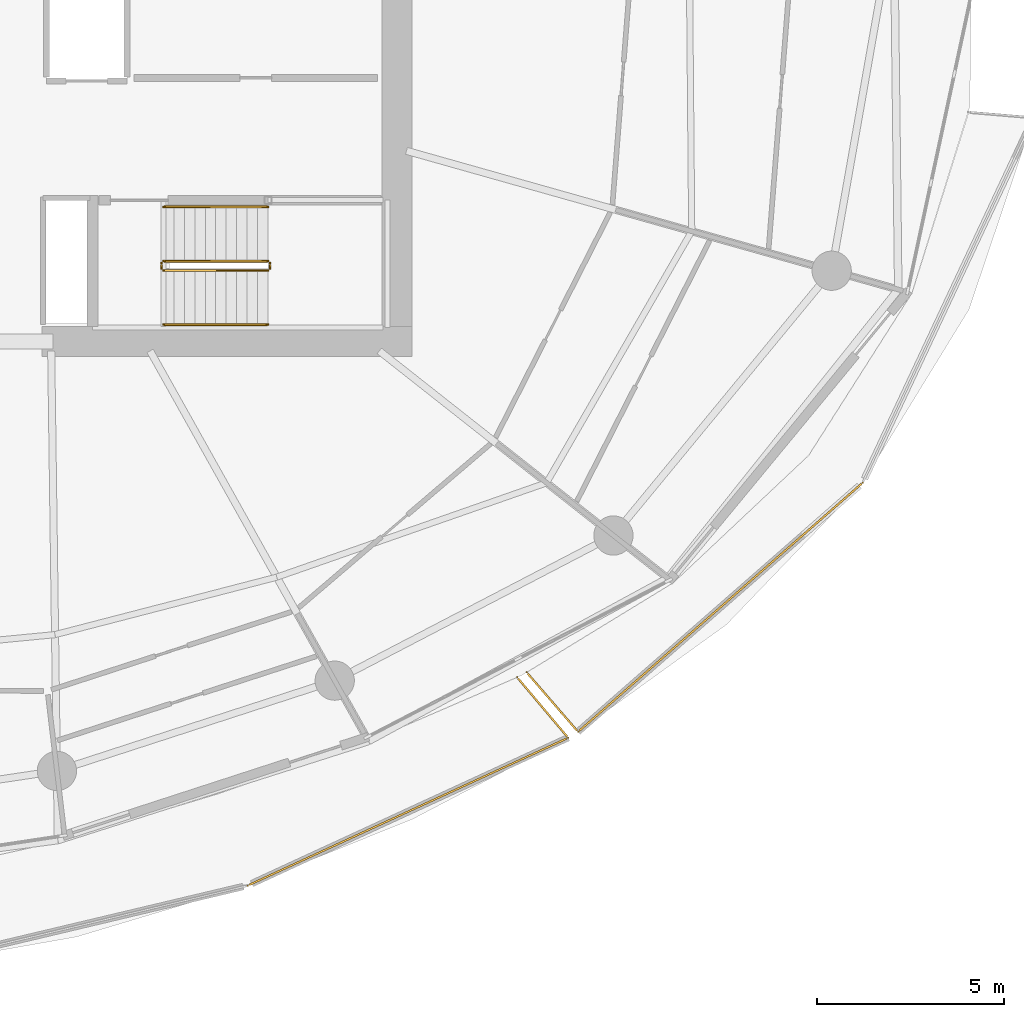
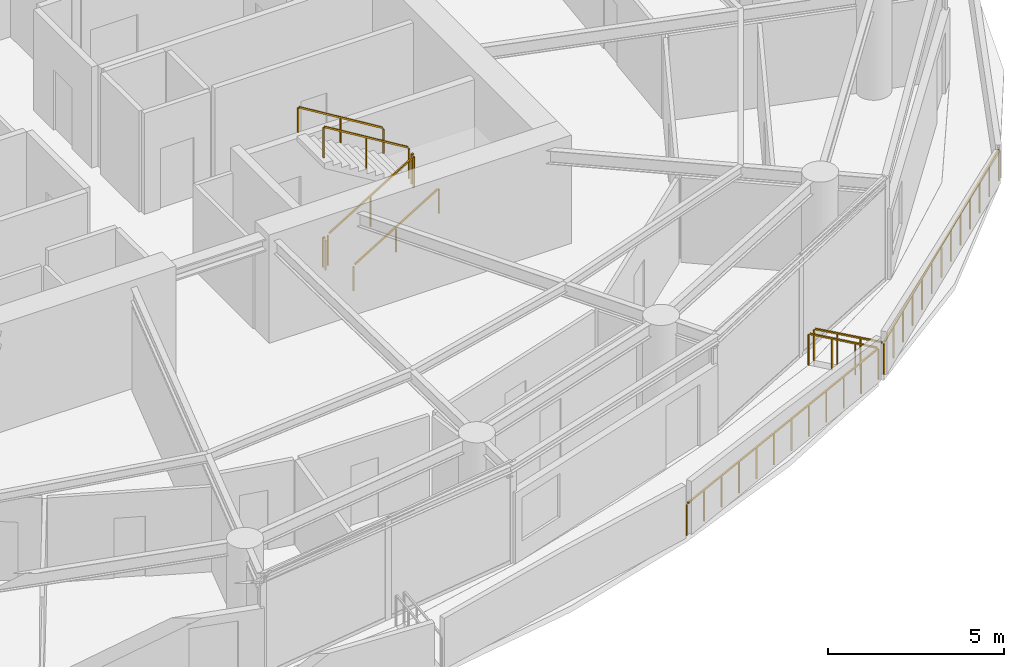
# One storey, part 18 of 20: 10 railings.
"""IFC4 building model written with IfcOpenShell, lengths in metres."""

from ifc_helpers import new_model, si_unit, direction, frame, origin, origin_2d, place, context, subcontext, project, spatial, rectangle, extrude, material, type_object, element, save


model = new_model("IFC4")

# Units and contexts
model_context = context("Model", 3, precision=1e-05, world=origin(), true_north=direction((0.0, 1.0)))
body_context = subcontext(model_context, "Body", "Model", "MODEL_VIEW")
ifc_project = project(units=[si_unit("LENGTHUNIT", "METRE"), si_unit("AREAUNIT", "SQUARE_METRE"), si_unit("VOLUMEUNIT", "CUBIC_METRE"), si_unit("PLANEANGLEUNIT", "RADIAN"), si_unit("MASSUNIT", "GRAM", prefix="KILO")], contexts=[model_context])

# Site, building, storey
site_placement = place(None, origin())
site = spatial("IfcSite", under=ifc_project, at=site_placement, CompositionType="ELEMENT")
building_placement = place(site_placement, origin())
building = spatial("IfcBuilding", under=site, at=building_placement, Name="Kazma Halo Residences", CompositionType="ELEMENT")
storey_placement = place(building_placement, frame((0.0, 0.0, 169.050048828125)))
storey = spatial("IfcBuildingStorey", under=building, at=storey_placement, Name="L42", CompositionType="ELEMENT", Elevation=169.050048828125)

# Railings
ifc_material_1 = material(Name="Aluminium AW-6063 T6 Brushed Cap Rail", Category="aluminium")
railing_type_1 = type_object("IfcRailingType", Name="RLG-BAL-CAP-1120", PredefinedType="BALUSTRADE", material=ifc_material_1)
railing_1_placement = place(storey_placement, frame((55.455810546875, 19.052978515625, 0.0)))
element("IfcRailing", 1, at=railing_1_placement, inside=storey, type_object=railing_type_1, Name="L42 SSE wave balcony guard 3", PredefinedType="BALUSTRADE", context=body_context, shape_type="SweptSolid", body=[
    extrude(rectangle(XDim=0.050048828125, YDim=0.050048828125, at=origin_2d()), frame((0.03857421875, 0.017822265625, 1.09521484375), z_axis=(0.908088839492, 0.418777577706, 0.0), x_axis=(-0.418777577706, 0.908088839492, 0.0)), (0.0, 0.0, 1.0), 9.3505859375),
    extrude(rectangle(XDim=0.0400390625, YDim=0.0400390625, at=origin_2d()), origin(), (0.0, 0.0, 1.0), 1.05810546875),
    extrude(rectangle(XDim=0.0400390625, YDim=0.0400390625, at=origin_2d()), frame((0.779052734375, 0.359130859375, 0.0)), (0.0, 0.0, 1.0), 1.05810546875),
    extrude(rectangle(XDim=0.0400390625, YDim=0.0400390625, at=origin_2d()), frame((1.557861328125, 0.718505859375, 0.0)), (0.0, 0.0, 1.0), 1.05810546875),
    extrude(rectangle(XDim=0.0400390625, YDim=0.0400390625, at=origin_2d()), frame((2.3369140625, 1.07763671875, 0.0)), (0.0, 0.0, 1.0), 1.05810546875),
    extrude(rectangle(XDim=0.0400390625, YDim=0.0400390625, at=origin_2d()), frame((3.11572265625, 1.436767578125, 0.0)), (0.0, 0.0, 1.0), 1.05810546875),
    extrude(rectangle(XDim=0.0400390625, YDim=0.0400390625, at=origin_2d()), frame((3.894775390625, 1.796142578125, 0.0)), (0.0, 0.0, 1.0), 1.05810546875),
    extrude(rectangle(XDim=0.0400390625, YDim=0.0400390625, at=origin_2d()), frame((4.673583984375, 2.1552734375, 0.0)), (0.0, 0.0, 1.0), 1.05810546875),
    extrude(rectangle(XDim=0.0400390625, YDim=0.0400390625, at=origin_2d()), frame((5.45263671875, 2.5146484375, 0.0)), (0.0, 0.0, 1.0), 1.05810546875),
    extrude(rectangle(XDim=0.0400390625, YDim=0.0400390625, at=origin_2d()), frame((6.2314453125, 2.873779296875, 0.0)), (0.0, 0.0, 1.0), 1.05810546875),
    extrude(rectangle(XDim=0.0400390625, YDim=0.0400390625, at=origin_2d()), frame((7.010498046875, 3.23291015625, 0.0)), (0.0, 0.0, 1.0), 1.05810546875),
    extrude(rectangle(XDim=0.0400390625, YDim=0.0400390625, at=origin_2d()), frame((7.789306640625, 3.59228515625, 0.0)), (0.0, 0.0, 1.0), 1.05810546875),
    extrude(rectangle(XDim=0.0400390625, YDim=0.0400390625, at=origin_2d()), frame((8.568359375, 3.951416015625, 0.0)), (0.0, 0.0, 1.0), 1.05810546875),
])
railing_2_placement = place(storey_placement, frame((64.024169921875, 23.00439453125, 0.0)))
element("IfcRailing", 2, at=railing_2_placement, inside=storey, type_object=railing_type_1, Name="L42 SSE wave balcony guard 4", PredefinedType="BALUSTRADE", context=body_context, shape_type="SweptSolid", body=[
    extrude(rectangle(XDim=0.050048828125, YDim=0.050048828125, at=origin_2d()), frame((-0.02734375, 0.032470703125, 1.09521484375), z_axis=(-0.644807688259, 0.764344847017, 0.0), x_axis=(-0.764344847017, -0.644807688259, 0.0)), (0.0, 0.0, 1.0), 2.02880859375),
    extrude(rectangle(XDim=0.0400390625, YDim=0.0400390625, at=origin_2d()), origin(), (0.0, 0.0, 1.0), 1.05810546875),
    extrude(rectangle(XDim=0.0400390625, YDim=0.0400390625, at=origin_2d()), frame((-0.454345703125, 0.53857421875, 0.0)), (0.0, 0.0, 1.0), 1.05810546875),
    extrude(rectangle(XDim=0.0400390625, YDim=0.0400390625, at=origin_2d()), frame((-0.90869140625, 1.0771484375, 0.0)), (0.0, 0.0, 1.0), 1.05810546875),
    extrude(rectangle(XDim=0.0400390625, YDim=0.0400390625, at=origin_2d()), frame((-1.363037109375, 1.61572265625, 0.0)), (0.0, 0.0, 1.0), 1.05810546875),
])
railing_3_placement = place(storey_placement, frame((62.91455078125, 24.751953125, 0.0)))
element("IfcRailing", 3, at=railing_3_placement, inside=storey, type_object=railing_type_1, Name="L42 SE wave balcony guard 1", PredefinedType="BALUSTRADE", context=body_context, shape_type="SweptSolid", body=[
    extrude(rectangle(XDim=0.050048828125, YDim=0.050048828125, at=origin_2d()), frame((0.02783203125, -0.0322265625, 1.09521484375), z_axis=(0.654080000882, -0.756425377976, 0.0), x_axis=(0.756425377976, 0.654080000882, 0.0)), (0.0, 0.0, 1.0), 2.01416015625),
    extrude(rectangle(XDim=0.0400390625, YDim=0.0400390625, at=origin_2d()), origin(), (0.0, 0.0, 1.0), 1.05810546875),
    extrude(rectangle(XDim=0.0400390625, YDim=0.0400390625, at=origin_2d()), frame((0.457763671875, -0.529296875, 0.0)), (0.0, 0.0, 1.0), 1.05810546875),
    extrude(rectangle(XDim=0.0400390625, YDim=0.0400390625, at=origin_2d()), frame((0.915283203125, -1.05859375, 0.0)), (0.0, 0.0, 1.0), 1.05810546875),
    extrude(rectangle(XDim=0.0400390625, YDim=0.0400390625, at=origin_2d()), frame((1.373046875, -1.587890625, 0.0)), (0.0, 0.0, 1.0), 1.05810546875),
])
railing_4_placement = place(storey_placement, frame((64.28759765625, 23.1640625, 0.0)))
element("IfcRailing", 4, at=railing_4_placement, inside=storey, type_object=railing_type_1, Name="L42 SE wave balcony guard 2", PredefinedType="BALUSTRADE", context=body_context, shape_type="SweptSolid", body=[
    extrude(rectangle(XDim=0.050048828125, YDim=0.050048828125, at=origin_2d()), frame((0.031982421875, 0.028076171875, 1.09521484375), z_axis=(0.752614080913, 0.658461878329, 0.0), x_axis=(-0.658461878329, 0.752614080913, 0.0)), (0.0, 0.0, 1.0), 10.02783203125),
    extrude(rectangle(XDim=0.0400390625, YDim=0.0400390625, at=origin_2d()), origin(), (0.0, 0.0, 1.0), 1.05810546875),
    extrude(rectangle(XDim=0.0400390625, YDim=0.0400390625, at=origin_2d()), frame((0.63427734375, 0.554931640625, 0.0)), (0.0, 0.0, 1.0), 1.05810546875),
    extrude(rectangle(XDim=0.0400390625, YDim=0.0400390625, at=origin_2d()), frame((1.2685546875, 1.10986328125, 0.0)), (0.0, 0.0, 1.0), 1.05810546875),
    extrude(rectangle(XDim=0.0400390625, YDim=0.0400390625, at=origin_2d()), frame((1.90283203125, 1.664794921875, 0.0)), (0.0, 0.0, 1.0), 1.05810546875),
    extrude(rectangle(XDim=0.0400390625, YDim=0.0400390625, at=origin_2d()), frame((2.537109375, 2.2197265625, 0.0)), (0.0, 0.0, 1.0), 1.05810546875),
    extrude(rectangle(XDim=0.0400390625, YDim=0.0400390625, at=origin_2d()), frame((3.17138671875, 2.774658203125, 0.0)), (0.0, 0.0, 1.0), 1.05810546875),
    extrude(rectangle(XDim=0.0400390625, YDim=0.0400390625, at=origin_2d()), frame((3.8056640625, 3.32958984375, 0.0)), (0.0, 0.0, 1.0), 1.05810546875),
    extrude(rectangle(XDim=0.0400390625, YDim=0.0400390625, at=origin_2d()), frame((4.439697265625, 3.88427734375, 0.0)), (0.0, 0.0, 1.0), 1.05810546875),
    extrude(rectangle(XDim=0.0400390625, YDim=0.0400390625, at=origin_2d()), frame((5.073974609375, 4.439208984375, 0.0)), (0.0, 0.0, 1.0), 1.05810546875),
    extrude(rectangle(XDim=0.0400390625, YDim=0.0400390625, at=origin_2d()), frame((5.708251953125, 4.994140625, 0.0)), (0.0, 0.0, 1.0), 1.05810546875),
    extrude(rectangle(XDim=0.0400390625, YDim=0.0400390625, at=origin_2d()), frame((6.342529296875, 5.549072265625, 0.0)), (0.0, 0.0, 1.0), 1.05810546875),
    extrude(rectangle(XDim=0.0400390625, YDim=0.0400390625, at=origin_2d()), frame((6.976806640625, 6.10400390625, 0.0)), (0.0, 0.0, 1.0), 1.05810546875),
    extrude(rectangle(XDim=0.0400390625, YDim=0.0400390625, at=origin_2d()), frame((7.611083984375, 6.658935546875, 0.0)), (0.0, 0.0, 1.0), 1.05810546875),
])
ifc_material_2 = material(Name="Painted Steel S355", Category="steel")
railing_type_2 = type_object("IfcRailingType", Name="RLG-STAIR-GRD-1100", PredefinedType="GUARDRAIL", material=ifc_material_2)
railing_5_placement = place(storey_placement, frame((53.199951171875, 35.5, 0.17041015625)))
element("IfcRailing", 5, at=railing_5_placement, inside=storey, type_object=railing_type_2, Name="L42 ST-03 stair guard 1", PredefinedType="GUARDRAIL", context=body_context, shape_type="SweptSolid", body=[
    extrude(rectangle(XDim=0.050048828125, YDim=0.050048828125, at=origin_2d()), frame((0.036376953125, 0.0, 1.09716796875), z_axis=(0.854169791009, 0.0, 0.51999420009), x_axis=(0.0, 1.0, 0.0)), (0.0, 0.0, 1.0), 3.193115234375),
    extrude(rectangle(XDim=0.0400390625, YDim=0.0400390625, at=origin_2d()), origin(), (0.0, 0.0, 1.0), 1.0380859375),
    extrude(rectangle(XDim=0.0400390625, YDim=0.0400390625, at=origin_2d()), frame((1.39990234375, 0.0, 0.852294921875)), (0.0, 0.0, 1.0), 1.0380859375),
    extrude(rectangle(XDim=0.0400390625, YDim=0.0400390625, at=origin_2d()), frame((2.800048828125, 0.0, 1.70458984375)), (0.0, 0.0, 1.0), 1.0380859375),
])
railing_6_placement = place(storey_placement, frame((56.050048828125, 35.550048828125, 1.875)))
element("IfcRailing", 6, at=railing_6_placement, inside=storey, type_object=railing_type_2, Name="L42 ST-03 stair guard 2", PredefinedType="GUARDRAIL", context=body_context, shape_type="SweptSolid", body=[
    extrude(rectangle(XDim=0.050048828125, YDim=0.050048828125, at=origin_2d()), frame((0.0, 0.04248046875, 1.0751953125), z_axis=(0.0, 1.0, 0.0), x_axis=(-1.0, 0.0, 0.0)), (0.0, 0.0, 1.0), 0.06494140625),
    extrude(rectangle(XDim=0.0400390625, YDim=0.0400390625, at=origin_2d()), origin(), (0.0, 0.0, 1.0), 1.0380859375),
    extrude(rectangle(XDim=0.0400390625, YDim=0.0400390625, at=origin_2d()), frame((0.0, 0.14990234375, 0.0)), (0.0, 0.0, 1.0), 1.0380859375),
])
railing_7_placement = place(storey_placement, frame((56.0, 35.75, 2.04541015625)))
element("IfcRailing", 7, at=railing_7_placement, inside=storey, type_object=railing_type_2, Name="L42 ST-03 stair guard 3", PredefinedType="GUARDRAIL", context=body_context, shape_type="SweptSolid", body=[
    extrude(rectangle(XDim=0.050048828125, YDim=0.050048828125, at=origin_2d()), frame((-0.036376953125, 0.0, 1.09716796875), z_axis=(-0.854169791009, 0.0, 0.51999420009), x_axis=(0.0, -1.0, 0.0)), (0.0, 0.0, 1.0), 3.193115234375),
    extrude(rectangle(XDim=0.0400390625, YDim=0.0400390625, at=origin_2d()), origin(), (0.0, 0.0, 1.0), 1.0380859375),
    extrude(rectangle(XDim=0.0400390625, YDim=0.0400390625, at=origin_2d()), frame((-1.39990234375, 0.0, 0.852294921875)), (0.0, 0.0, 1.0), 1.0380859375),
    extrude(rectangle(XDim=0.0400390625, YDim=0.0400390625, at=origin_2d()), frame((-2.800048828125, 0.0, 1.70458984375)), (0.0, 0.0, 1.0), 1.0380859375),
])
railing_8_placement = place(storey_placement, frame((53.14990234375, 35.550048828125, 0.0)))
element("IfcRailing", 8, at=railing_8_placement, inside=storey, type_object=railing_type_2, Name="L42 ST-03 stair guard 4", PredefinedType="GUARDRAIL", context=body_context, shape_type="SweptSolid", body=[
    extrude(rectangle(XDim=0.050048828125, YDim=0.050048828125, at=origin_2d()), frame((0.0, 0.04248046875, 1.0751953125), z_axis=(0.0, 1.0, 0.0), x_axis=(-1.0, 0.0, 0.0)), (0.0, 0.0, 1.0), 0.06494140625),
    extrude(rectangle(XDim=0.0400390625, YDim=0.0400390625, at=origin_2d()), origin(), (0.0, 0.0, 1.0), 1.0380859375),
    extrude(rectangle(XDim=0.0400390625, YDim=0.0400390625, at=origin_2d()), frame((0.0, 0.14990234375, 0.0)), (0.0, 0.0, 1.0), 1.0380859375),
])
ifc_material_3 = material(Name="Brushed Stainless Steel", Category="steel")
railing_type_3 = type_object("IfcRailingType", Name="RLG-STAIR-HND-900", PredefinedType="HANDRAIL", material=ifc_material_3)
railing_9_placement = place(storey_placement, frame((53.199951171875, 34.050048828125, 0.17041015625)))
element("IfcRailing", 9, at=railing_9_placement, inside=storey, type_object=railing_type_3, Name="L42 ST-03 stair handrail 1", PredefinedType="HANDRAIL", context=body_context, shape_type="SweptSolid", body=[
    extrude(rectangle(XDim=0.050048828125, YDim=0.050048828125, at=origin_2d()), frame((0.036376953125, 0.0, 0.89697265625), z_axis=(0.854169791009, 0.0, 0.51999420009), x_axis=(0.0, 1.0, 0.0)), (0.0, 0.0, 1.0), 3.193115234375),
    extrude(rectangle(XDim=0.0400390625, YDim=0.0400390625, at=origin_2d()), origin(), (0.0, 0.0, 1.0), 0.837890625),
    extrude(rectangle(XDim=0.0400390625, YDim=0.0400390625, at=origin_2d()), frame((1.39990234375, 0.0, 0.852294921875)), (0.0, 0.0, 1.0), 0.837890625),
    extrude(rectangle(XDim=0.0400390625, YDim=0.0400390625, at=origin_2d()), frame((2.800048828125, 0.0, 1.70458984375)), (0.0, 0.0, 1.0), 0.837890625),
])
railing_10_placement = place(storey_placement, frame((56.0, 37.199951171875, 2.04541015625)))
element("IfcRailing", 10, at=railing_10_placement, inside=storey, type_object=railing_type_3, Name="L42 ST-03 stair handrail 2", PredefinedType="HANDRAIL", context=body_context, shape_type="SweptSolid", body=[
    extrude(rectangle(XDim=0.050048828125, YDim=0.050048828125, at=origin_2d()), frame((-0.036376953125, 0.0, 0.89697265625), z_axis=(-0.854169791009, 0.0, 0.51999420009), x_axis=(0.0, -1.0, 0.0)), (0.0, 0.0, 1.0), 3.193115234375),
    extrude(rectangle(XDim=0.0400390625, YDim=0.0400390625, at=origin_2d()), origin(), (0.0, 0.0, 1.0), 0.837890625),
    extrude(rectangle(XDim=0.0400390625, YDim=0.0400390625, at=origin_2d()), frame((-1.39990234375, 0.0, 0.852294921875)), (0.0, 0.0, 1.0), 0.837890625),
    extrude(rectangle(XDim=0.0400390625, YDim=0.0400390625, at=origin_2d()), frame((-2.800048828125, 0.0, 1.70458984375)), (0.0, 0.0, 1.0), 0.837890625),
])

save(model, "model.ifc")
